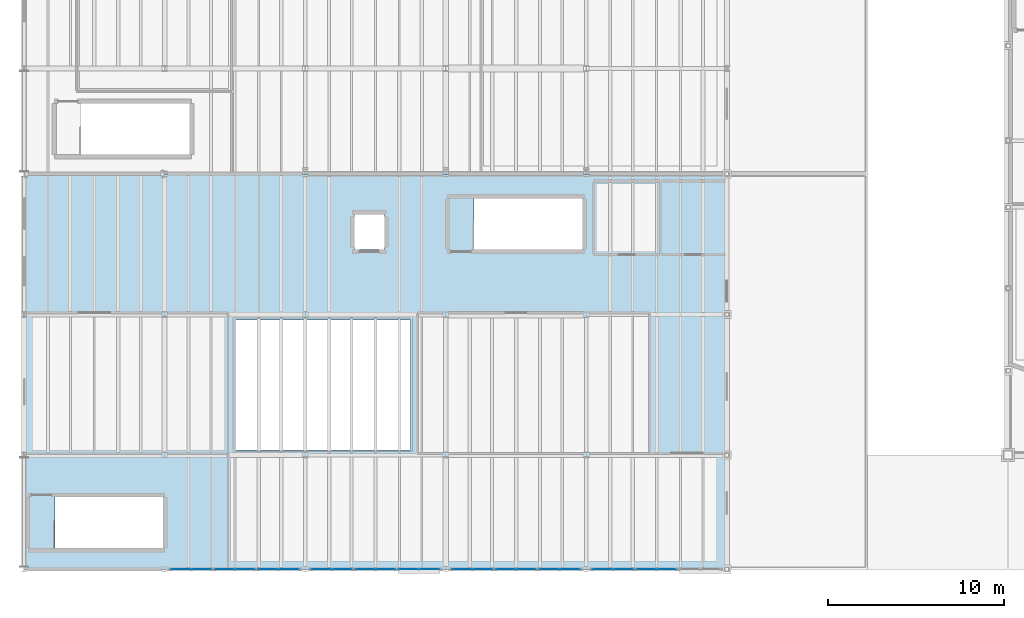
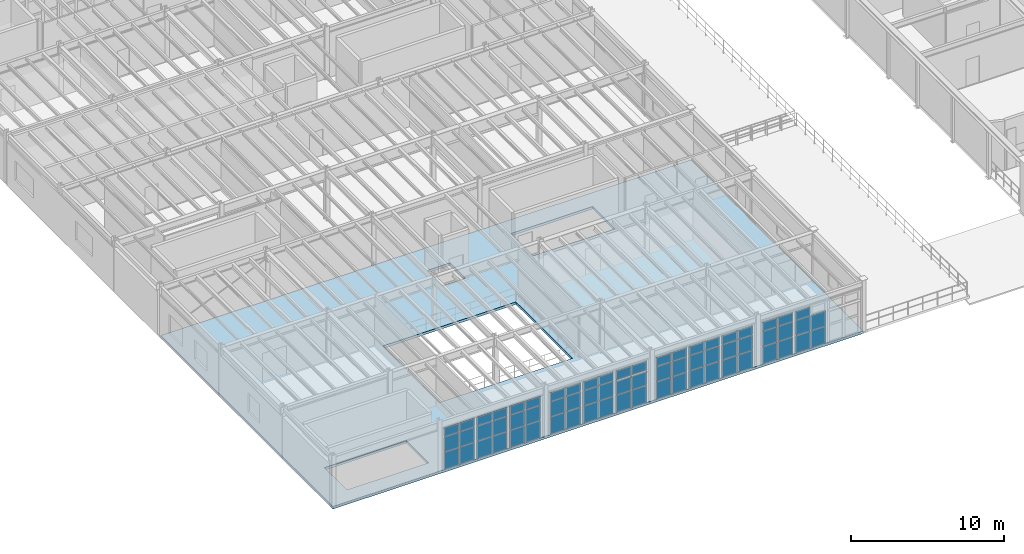
# One storey, part 48 of 78: 65 plates, 1 slab, 11 elements without a shape of their own.
"""IFC4 building model written with IfcOpenShell, lengths in metres."""

from ifc_helpers import new_model, si_unit, direction, frame, origin, origin_2d, place, context, subcontext, project, spatial, polyline, rectangle, outline, extrude, material, layer, layer_set, type_object, element, aggregate, save


model = new_model("IFC4")

# Units and contexts
model_context = context("Model", 3, precision=1e-05, world=origin(), true_north=direction((0.0, 1.0)))
body_context = subcontext(model_context, "Body", "Model", "MODEL_VIEW")
ifc_project = project(units=[si_unit("LENGTHUNIT", "METRE"), si_unit("AREAUNIT", "SQUARE_METRE"), si_unit("VOLUMEUNIT", "CUBIC_METRE"), si_unit("PLANEANGLEUNIT", "RADIAN"), si_unit("MASSUNIT", "GRAM", prefix="KILO"), si_unit("THERMODYNAMICTEMPERATUREUNIT", "KELVIN"), si_unit("POWERUNIT", "WATT")], contexts=[model_context])

# Site, building, storey
site_placement = place(None, origin())
site = spatial("IfcSite", under=ifc_project, at=site_placement, CompositionType="ELEMENT")
building_placement = place(site_placement, origin())
building = spatial("IfcBuilding", under=site, at=building_placement, Name="Zhenchuan Central Fire Station", CompositionType="ELEMENT")
storey_placement = place(building_placement, frame((0.0, 0.0, 5.85009765625)))
storey = spatial("IfcBuildingStorey", under=building, at=storey_placement, Name="L02", CompositionType="ELEMENT", Elevation=5.85009765625)

# Curtain wall, plates
ifc_material_1 = material(Name="Anodised aluminium and low-E glazing", Category="aluminium")
curtain_wall_type_1 = type_object("IfcCurtainWallType", Name="CW-MOD-01", PredefinedType="USERDEFINED", material=ifc_material_1)
curtain_wall_1_placement = place(storey_placement, origin())
curtain_wall_1 = element("IfcCurtainWall", 1, at=curtain_wall_1_placement, inside=storey, type_object=curtain_wall_type_1, Name="L02 Unitised Curtain Wall 025", ObjectType="UNITISED GLAZING", PredefinedType="USERDEFINED")
ifc_material_2 = material(Name="Laminated low-E double glazing", Category="glass")
ifc_layer_1 = layer(ifc_material_2, 0.011962890625, Name="Laminated low-E double glazing", Category="glass")
ifc_layer_set_1 = layer_set([ifc_layer_1], Name="Laminated low-E double glazing")
plate_type = type_object("IfcPlateType", Name="CW-PNL12", PredefinedType="CURTAIN_PANEL", material=ifc_layer_set_1)
plate_1_placement = place(storey_placement, frame((8.92333984375, 0.0, 0.060791015625), z_axis=(0.0, 0.0, 1.0), x_axis=(1.0, 0.0, 0.0)))
plate_1 = element("IfcPlate", 2, at=plate_1_placement, type_object=plate_type, Name="CW-01 panel 1.1", PredefinedType="CURTAIN_PANEL", context=body_context, shape_type="SweptSolid", body=[
    extrude(rectangle(XDim=1.116943359375, YDim=0.011962890625, at=origin_2d()), origin(), (0.0, 0.0, 1.0), 1.33203125),
])
plate_2_placement = place(storey_placement, frame((8.92333984375, 0.0, 1.4580078125), z_axis=(0.0, 0.0, 1.0), x_axis=(1.0, 0.0, 0.0)))
plate_2 = element("IfcPlate", 3, at=plate_2_placement, type_object=plate_type, Name="CW-01 panel 1.2", PredefinedType="CURTAIN_PANEL", context=body_context, shape_type="SweptSolid", body=[
    extrude(rectangle(XDim=1.116943359375, YDim=0.011962890625, at=origin_2d()), origin(), (0.0, 0.0, 1.0), 1.15673828125),
])
plate_3_placement = place(storey_placement, frame((8.92333984375, 0.0, 2.6796875), z_axis=(0.0, 0.0, 1.0), x_axis=(1.0, 0.0, 0.0)))
plate_3 = element("IfcPlate", 4, at=plate_3_placement, type_object=plate_type, Name="CW-01 panel 1.3", PredefinedType="CURTAIN_PANEL", context=body_context, shape_type="SweptSolid", body=[
    extrude(rectangle(XDim=1.116943359375, YDim=0.011962890625, at=origin_2d()), origin(), (0.0, 0.0, 1.0), 0.649169921875),
])
plate_4_placement = place(storey_placement, frame((10.105224609375, 0.0, 0.060791015625), z_axis=(0.0, 0.0, 1.0), x_axis=(1.0, 0.0, 0.0)))
plate_4 = element("IfcPlate", 5, at=plate_4_placement, type_object=plate_type, Name="CW-01 panel 2.1", PredefinedType="CURTAIN_PANEL", context=body_context, shape_type="SweptSolid", body=[
    extrude(rectangle(XDim=1.116943359375, YDim=0.011962890625, at=origin_2d()), origin(), (0.0, 0.0, 1.0), 1.33203125),
])
plate_5_placement = place(storey_placement, frame((10.105224609375, 0.0, 1.4580078125), z_axis=(0.0, 0.0, 1.0), x_axis=(1.0, 0.0, 0.0)))
plate_5 = element("IfcPlate", 6, at=plate_5_placement, type_object=plate_type, Name="CW-01 panel 2.2", PredefinedType="CURTAIN_PANEL", context=body_context, shape_type="SweptSolid", body=[
    extrude(rectangle(XDim=1.116943359375, YDim=0.011962890625, at=origin_2d()), origin(), (0.0, 0.0, 1.0), 1.15673828125),
])
plate_6_placement = place(storey_placement, frame((10.105224609375, 0.0, 2.6796875), z_axis=(0.0, 0.0, 1.0), x_axis=(1.0, 0.0, 0.0)))
plate_6 = element("IfcPlate", 7, at=plate_6_placement, type_object=plate_type, Name="CW-01 panel 2.3", PredefinedType="CURTAIN_PANEL", context=body_context, shape_type="SweptSolid", body=[
    extrude(rectangle(XDim=1.116943359375, YDim=0.011962890625, at=origin_2d()), origin(), (0.0, 0.0, 1.0), 0.649169921875),
])
aggregate(curtain_wall_1, [plate_1, plate_2, plate_3, plate_4, plate_5, plate_6])

curtain_wall_type_2 = type_object("IfcCurtainWallType", Name="CW-MOD-02", PredefinedType="USERDEFINED", material=ifc_material_1)
curtain_wall_2_placement = place(storey_placement, origin())
curtain_wall_2 = element("IfcCurtainWall", 8, at=curtain_wall_2_placement, inside=storey, type_object=curtain_wall_type_2, Name="L02 Unitised Curtain Wall 026", ObjectType="UNITISED GLAZING", PredefinedType="USERDEFINED")
plate_7_placement = place(storey_placement, frame((11.418701171875, 0.0, 0.060791015625), z_axis=(0.0, 0.0, 1.0), x_axis=(1.0, 0.0, 0.0)))
plate_7 = element("IfcPlate", 9, at=plate_7_placement, type_object=plate_type, Name="CW-02 panel 1.1", PredefinedType="CURTAIN_PANEL", context=body_context, shape_type="SweptSolid", body=[
    extrude(rectangle(XDim=1.097900390625, YDim=0.011962890625, at=origin_2d()), origin(), (0.0, 0.0, 1.0), 1.33203125),
])
plate_8_placement = place(storey_placement, frame((11.418701171875, 0.0, 1.4580078125), z_axis=(0.0, 0.0, 1.0), x_axis=(1.0, 0.0, 0.0)))
plate_8 = element("IfcPlate", 10, at=plate_8_placement, type_object=plate_type, Name="CW-02 panel 1.2", PredefinedType="CURTAIN_PANEL", context=body_context, shape_type="SweptSolid", body=[
    extrude(rectangle(XDim=1.097900390625, YDim=0.011962890625, at=origin_2d()), origin(), (0.0, 0.0, 1.0), 1.15673828125),
])
plate_9_placement = place(storey_placement, frame((11.418701171875, 0.0, 2.6796875), z_axis=(0.0, 0.0, 1.0), x_axis=(1.0, 0.0, 0.0)))
plate_9 = element("IfcPlate", 11, at=plate_9_placement, type_object=plate_type, Name="CW-02 panel 1.3", PredefinedType="CURTAIN_PANEL", context=body_context, shape_type="SweptSolid", body=[
    extrude(rectangle(XDim=1.097900390625, YDim=0.011962890625, at=origin_2d()), origin(), (0.0, 0.0, 1.0), 0.649169921875),
])
plate_10_placement = place(storey_placement, frame((12.581298828125, 0.0, 0.060791015625), z_axis=(0.0, 0.0, 1.0), x_axis=(1.0, 0.0, 0.0)))
plate_10 = element("IfcPlate", 12, at=plate_10_placement, type_object=plate_type, Name="CW-02 panel 2.1", PredefinedType="CURTAIN_PANEL", context=body_context, shape_type="SweptSolid", body=[
    extrude(rectangle(XDim=1.097900390625, YDim=0.011962890625, at=origin_2d()), origin(), (0.0, 0.0, 1.0), 1.33203125),
])
plate_11_placement = place(storey_placement, frame((12.581298828125, 0.0, 1.4580078125), z_axis=(0.0, 0.0, 1.0), x_axis=(1.0, 0.0, 0.0)))
plate_11 = element("IfcPlate", 13, at=plate_11_placement, type_object=plate_type, Name="CW-02 panel 2.2", PredefinedType="CURTAIN_PANEL", context=body_context, shape_type="SweptSolid", body=[
    extrude(rectangle(XDim=1.097900390625, YDim=0.011962890625, at=origin_2d()), origin(), (0.0, 0.0, 1.0), 1.15673828125),
])
plate_12_placement = place(storey_placement, frame((12.581298828125, 0.0, 2.6796875), z_axis=(0.0, 0.0, 1.0), x_axis=(1.0, 0.0, 0.0)))
plate_12 = element("IfcPlate", 14, at=plate_12_placement, type_object=plate_type, Name="CW-02 panel 2.3", PredefinedType="CURTAIN_PANEL", context=body_context, shape_type="SweptSolid", body=[
    extrude(rectangle(XDim=1.097900390625, YDim=0.011962890625, at=origin_2d()), origin(), (0.0, 0.0, 1.0), 0.649169921875),
])
aggregate(curtain_wall_2, [plate_7, plate_8, plate_9, plate_10, plate_11, plate_12])

curtain_wall_type_3 = type_object("IfcCurtainWallType", Name="CW-MOD-03", PredefinedType="USERDEFINED", material=ifc_material_1)
curtain_wall_3_placement = place(storey_placement, origin())
curtain_wall_3 = element("IfcCurtainWall", 15, at=curtain_wall_3_placement, inside=storey, type_object=curtain_wall_type_3, Name="L02 Unitised Curtain Wall 027", ObjectType="UNITISED GLAZING", PredefinedType="USERDEFINED")
plate_13_placement = place(storey_placement, frame((13.894775390625, 0.0, 0.060791015625), z_axis=(0.0, 0.0, 1.0), x_axis=(1.0, 0.0, 0.0)))
plate_13 = element("IfcPlate", 16, at=plate_13_placement, type_object=plate_type, Name="CW-03 panel 1.1", PredefinedType="CURTAIN_PANEL", context=body_context, shape_type="SweptSolid", body=[
    extrude(rectangle(XDim=1.116943359375, YDim=0.011962890625, at=origin_2d()), origin(), (0.0, 0.0, 1.0), 1.33203125),
])
plate_14_placement = place(storey_placement, frame((13.894775390625, 0.0, 1.4580078125), z_axis=(0.0, 0.0, 1.0), x_axis=(1.0, 0.0, 0.0)))
plate_14 = element("IfcPlate", 17, at=plate_14_placement, type_object=plate_type, Name="CW-03 panel 1.2", PredefinedType="CURTAIN_PANEL", context=body_context, shape_type="SweptSolid", body=[
    extrude(rectangle(XDim=1.116943359375, YDim=0.011962890625, at=origin_2d()), origin(), (0.0, 0.0, 1.0), 1.15673828125),
])
plate_15_placement = place(storey_placement, frame((13.894775390625, 0.0, 2.6796875), z_axis=(0.0, 0.0, 1.0), x_axis=(1.0, 0.0, 0.0)))
plate_15 = element("IfcPlate", 18, at=plate_15_placement, type_object=plate_type, Name="CW-03 panel 1.3", PredefinedType="CURTAIN_PANEL", context=body_context, shape_type="SweptSolid", body=[
    extrude(rectangle(XDim=1.116943359375, YDim=0.011962890625, at=origin_2d()), origin(), (0.0, 0.0, 1.0), 0.649169921875),
])
plate_16_placement = place(storey_placement, frame((15.07666015625, 0.0, 0.060791015625), z_axis=(0.0, 0.0, 1.0), x_axis=(1.0, 0.0, 0.0)))
plate_16 = element("IfcPlate", 19, at=plate_16_placement, type_object=plate_type, Name="CW-03 panel 2.1", PredefinedType="CURTAIN_PANEL", context=body_context, shape_type="SweptSolid", body=[
    extrude(rectangle(XDim=1.116943359375, YDim=0.011962890625, at=origin_2d()), origin(), (0.0, 0.0, 1.0), 1.33203125),
])
plate_17_placement = place(storey_placement, frame((15.07666015625, 0.0, 1.4580078125), z_axis=(0.0, 0.0, 1.0), x_axis=(1.0, 0.0, 0.0)))
plate_17 = element("IfcPlate", 20, at=plate_17_placement, type_object=plate_type, Name="CW-03 panel 2.2", PredefinedType="CURTAIN_PANEL", context=body_context, shape_type="SweptSolid", body=[
    extrude(rectangle(XDim=1.116943359375, YDim=0.011962890625, at=origin_2d()), origin(), (0.0, 0.0, 1.0), 1.15673828125),
])
plate_18_placement = place(storey_placement, frame((15.07666015625, 0.0, 2.6796875), z_axis=(0.0, 0.0, 1.0), x_axis=(1.0, 0.0, 0.0)))
plate_18 = element("IfcPlate", 21, at=plate_18_placement, type_object=plate_type, Name="CW-03 panel 2.3", PredefinedType="CURTAIN_PANEL", context=body_context, shape_type="SweptSolid", body=[
    extrude(rectangle(XDim=1.116943359375, YDim=0.011962890625, at=origin_2d()), origin(), (0.0, 0.0, 1.0), 0.649169921875),
])
aggregate(curtain_wall_3, [plate_13, plate_14, plate_15, plate_16, plate_17, plate_18])

curtain_wall_4_placement = place(storey_placement, origin())
curtain_wall_4 = element("IfcCurtainWall", 22, at=curtain_wall_4_placement, inside=storey, type_object=curtain_wall_type_2, Name="L02 Unitised Curtain Wall 028", ObjectType="UNITISED GLAZING", PredefinedType="USERDEFINED")
plate_19_placement = place(storey_placement, frame((16.92333984375, 0.0, 0.06103515625), z_axis=(0.0, 0.0, 1.0), x_axis=(1.0, 0.0, 0.0)))
plate_19 = element("IfcPlate", 23, at=plate_19_placement, type_object=plate_type, Name="CW-02 panel 1.1", PredefinedType="CURTAIN_PANEL", context=body_context, shape_type="SweptSolid", body=[
    extrude(rectangle(XDim=1.116943359375, YDim=0.011962890625, at=origin_2d()), origin(), (0.0, 0.0, 1.0), 1.33447265625),
])
plate_20_placement = place(storey_placement, frame((16.92333984375, 0.0, 1.46044921875), z_axis=(0.0, 0.0, 1.0), x_axis=(1.0, 0.0, 0.0)))
plate_20 = element("IfcPlate", 24, at=plate_20_placement, type_object=plate_type, Name="CW-02 panel 1.2", PredefinedType="CURTAIN_PANEL", context=body_context, shape_type="SweptSolid", body=[
    extrude(rectangle(XDim=1.116943359375, YDim=0.011962890625, at=origin_2d()), origin(), (0.0, 0.0, 1.0), 1.158935546875),
])
plate_21_placement = place(storey_placement, frame((16.92333984375, 0.0, 2.6845703125), z_axis=(0.0, 0.0, 1.0), x_axis=(1.0, 0.0, 0.0)))
plate_21 = element("IfcPlate", 25, at=plate_21_placement, type_object=plate_type, Name="CW-02 panel 1.3", PredefinedType="CURTAIN_PANEL", context=body_context, shape_type="SweptSolid", body=[
    extrude(rectangle(XDim=1.116943359375, YDim=0.011962890625, at=origin_2d()), origin(), (0.0, 0.0, 1.0), 0.650390625),
])
plate_22_placement = place(storey_placement, frame((18.105224609375, 0.0, 0.06103515625), z_axis=(0.0, 0.0, 1.0), x_axis=(1.0, 0.0, 0.0)))
plate_22 = element("IfcPlate", 26, at=plate_22_placement, type_object=plate_type, Name="CW-02 panel 2.1", PredefinedType="CURTAIN_PANEL", context=body_context, shape_type="SweptSolid", body=[
    extrude(rectangle(XDim=1.116943359375, YDim=0.011962890625, at=origin_2d()), origin(), (0.0, 0.0, 1.0), 1.33447265625),
])
plate_23_placement = place(storey_placement, frame((18.105224609375, 0.0, 1.46044921875), z_axis=(0.0, 0.0, 1.0), x_axis=(1.0, 0.0, 0.0)))
plate_23 = element("IfcPlate", 27, at=plate_23_placement, type_object=plate_type, Name="CW-02 panel 2.2", PredefinedType="CURTAIN_PANEL", context=body_context, shape_type="SweptSolid", body=[
    extrude(rectangle(XDim=1.116943359375, YDim=0.011962890625, at=origin_2d()), origin(), (0.0, 0.0, 1.0), 1.158935546875),
])
plate_24_placement = place(storey_placement, frame((18.105224609375, 0.0, 2.6845703125), z_axis=(0.0, 0.0, 1.0), x_axis=(1.0, 0.0, 0.0)))
plate_24 = element("IfcPlate", 28, at=plate_24_placement, type_object=plate_type, Name="CW-02 panel 2.3", PredefinedType="CURTAIN_PANEL", context=body_context, shape_type="SweptSolid", body=[
    extrude(rectangle(XDim=1.116943359375, YDim=0.011962890625, at=origin_2d()), origin(), (0.0, 0.0, 1.0), 0.650390625),
])
aggregate(curtain_wall_4, [plate_19, plate_20, plate_21, plate_22, plate_23, plate_24])

curtain_wall_5_placement = place(storey_placement, origin())
curtain_wall_5 = element("IfcCurtainWall", 29, at=curtain_wall_5_placement, inside=storey, type_object=curtain_wall_type_3, Name="L02 Unitised Curtain Wall 029", ObjectType="UNITISED GLAZING", PredefinedType="USERDEFINED")
plate_25_placement = place(storey_placement, frame((19.418701171875, 0.0, 0.06103515625), z_axis=(0.0, 0.0, 1.0), x_axis=(1.0, 0.0, 0.0)))
plate_25 = element("IfcPlate", 30, at=plate_25_placement, type_object=plate_type, Name="CW-03 panel 1.1", PredefinedType="CURTAIN_PANEL", context=body_context, shape_type="SweptSolid", body=[
    extrude(rectangle(XDim=1.097900390625, YDim=0.011962890625, at=origin_2d()), origin(), (0.0, 0.0, 1.0), 1.33447265625),
])
plate_26_placement = place(storey_placement, frame((19.418701171875, 0.0, 1.46044921875), z_axis=(0.0, 0.0, 1.0), x_axis=(1.0, 0.0, 0.0)))
plate_26 = element("IfcPlate", 31, at=plate_26_placement, type_object=plate_type, Name="CW-03 panel 1.2", PredefinedType="CURTAIN_PANEL", context=body_context, shape_type="SweptSolid", body=[
    extrude(rectangle(XDim=1.097900390625, YDim=0.011962890625, at=origin_2d()), origin(), (0.0, 0.0, 1.0), 1.158935546875),
])
plate_27_placement = place(storey_placement, frame((19.418701171875, 0.0, 2.6845703125), z_axis=(0.0, 0.0, 1.0), x_axis=(1.0, 0.0, 0.0)))
plate_27 = element("IfcPlate", 32, at=plate_27_placement, type_object=plate_type, Name="CW-03 panel 1.3", PredefinedType="CURTAIN_PANEL", context=body_context, shape_type="SweptSolid", body=[
    extrude(rectangle(XDim=1.097900390625, YDim=0.011962890625, at=origin_2d()), origin(), (0.0, 0.0, 1.0), 0.650390625),
])
plate_28_placement = place(storey_placement, frame((20.581298828125, 0.0, 0.06103515625), z_axis=(0.0, 0.0, 1.0), x_axis=(1.0, 0.0, 0.0)))
plate_28 = element("IfcPlate", 33, at=plate_28_placement, type_object=plate_type, Name="CW-03 panel 2.1", PredefinedType="CURTAIN_PANEL", context=body_context, shape_type="SweptSolid", body=[
    extrude(rectangle(XDim=1.097900390625, YDim=0.011962890625, at=origin_2d()), origin(), (0.0, 0.0, 1.0), 1.33447265625),
])
plate_29_placement = place(storey_placement, frame((20.581298828125, 0.0, 1.46044921875), z_axis=(0.0, 0.0, 1.0), x_axis=(1.0, 0.0, 0.0)))
plate_29 = element("IfcPlate", 34, at=plate_29_placement, type_object=plate_type, Name="CW-03 panel 2.2", PredefinedType="CURTAIN_PANEL", context=body_context, shape_type="SweptSolid", body=[
    extrude(rectangle(XDim=1.097900390625, YDim=0.011962890625, at=origin_2d()), origin(), (0.0, 0.0, 1.0), 1.158935546875),
])
plate_30_placement = place(storey_placement, frame((20.581298828125, 0.0, 2.6845703125), z_axis=(0.0, 0.0, 1.0), x_axis=(1.0, 0.0, 0.0)))
plate_30 = element("IfcPlate", 35, at=plate_30_placement, type_object=plate_type, Name="CW-03 panel 2.3", PredefinedType="CURTAIN_PANEL", context=body_context, shape_type="SweptSolid", body=[
    extrude(rectangle(XDim=1.097900390625, YDim=0.011962890625, at=origin_2d()), origin(), (0.0, 0.0, 1.0), 0.650390625),
])
aggregate(curtain_wall_5, [plate_25, plate_26, plate_27, plate_28, plate_29, plate_30])

curtain_wall_type_4 = type_object("IfcCurtainWallType", Name="CW-MOD-04", PredefinedType="USERDEFINED", material=ifc_material_1)
curtain_wall_6_placement = place(storey_placement, origin())
curtain_wall_6 = element("IfcCurtainWall", 36, at=curtain_wall_6_placement, inside=storey, type_object=curtain_wall_type_4, Name="L02 Unitised Curtain Wall 030", ObjectType="UNITISED GLAZING", PredefinedType="USERDEFINED")
plate_31_placement = place(storey_placement, frame((21.894775390625, 0.0, 0.06103515625), z_axis=(0.0, 0.0, 1.0), x_axis=(1.0, 0.0, 0.0)))
plate_31 = element("IfcPlate", 37, at=plate_31_placement, type_object=plate_type, Name="CW-04 panel 1.1", PredefinedType="CURTAIN_PANEL", context=body_context, shape_type="SweptSolid", body=[
    extrude(rectangle(XDim=1.116943359375, YDim=0.011962890625, at=origin_2d()), origin(), (0.0, 0.0, 1.0), 1.33447265625),
])
plate_32_placement = place(storey_placement, frame((21.894775390625, 0.0, 1.46044921875), z_axis=(0.0, 0.0, 1.0), x_axis=(1.0, 0.0, 0.0)))
plate_32 = element("IfcPlate", 38, at=plate_32_placement, type_object=plate_type, Name="CW-04 panel 1.2", PredefinedType="CURTAIN_PANEL", context=body_context, shape_type="SweptSolid", body=[
    extrude(rectangle(XDim=1.116943359375, YDim=0.011962890625, at=origin_2d()), origin(), (0.0, 0.0, 1.0), 1.158935546875),
])
plate_33_placement = place(storey_placement, frame((21.894775390625, 0.0, 2.6845703125), z_axis=(0.0, 0.0, 1.0), x_axis=(1.0, 0.0, 0.0)))
plate_33 = element("IfcPlate", 39, at=plate_33_placement, type_object=plate_type, Name="CW-04 panel 1.3", PredefinedType="CURTAIN_PANEL", context=body_context, shape_type="SweptSolid", body=[
    extrude(rectangle(XDim=1.116943359375, YDim=0.011962890625, at=origin_2d()), origin(), (0.0, 0.0, 1.0), 0.650390625),
])
plate_34_placement = place(storey_placement, frame((23.07666015625, 0.0, 0.06103515625), z_axis=(0.0, 0.0, 1.0), x_axis=(1.0, 0.0, 0.0)))
plate_34 = element("IfcPlate", 40, at=plate_34_placement, type_object=plate_type, Name="CW-04 panel 2.1", PredefinedType="CURTAIN_PANEL", context=body_context, shape_type="SweptSolid", body=[
    extrude(rectangle(XDim=1.116943359375, YDim=0.011962890625, at=origin_2d()), origin(), (0.0, 0.0, 1.0), 1.33447265625),
])
plate_35_placement = place(storey_placement, frame((23.07666015625, 0.0, 1.46044921875), z_axis=(0.0, 0.0, 1.0), x_axis=(1.0, 0.0, 0.0)))
plate_35 = element("IfcPlate", 41, at=plate_35_placement, type_object=plate_type, Name="CW-04 panel 2.2", PredefinedType="CURTAIN_PANEL", context=body_context, shape_type="SweptSolid", body=[
    extrude(rectangle(XDim=1.116943359375, YDim=0.011962890625, at=origin_2d()), origin(), (0.0, 0.0, 1.0), 1.158935546875),
])
plate_36_placement = place(storey_placement, frame((23.07666015625, 0.0, 2.6845703125), z_axis=(0.0, 0.0, 1.0), x_axis=(1.0, 0.0, 0.0)))
plate_36 = element("IfcPlate", 42, at=plate_36_placement, type_object=plate_type, Name="CW-04 panel 2.3", PredefinedType="CURTAIN_PANEL", context=body_context, shape_type="SweptSolid", body=[
    extrude(rectangle(XDim=1.116943359375, YDim=0.011962890625, at=origin_2d()), origin(), (0.0, 0.0, 1.0), 0.650390625),
])
aggregate(curtain_wall_6, [plate_31, plate_32, plate_33, plate_34, plate_35, plate_36])

curtain_wall_7_placement = place(storey_placement, origin())
curtain_wall_7 = element("IfcCurtainWall", 43, at=curtain_wall_7_placement, inside=storey, type_object=curtain_wall_type_3, Name="L02 Unitised Curtain Wall 031", ObjectType="UNITISED GLAZING", PredefinedType="USERDEFINED")
plate_37_placement = place(storey_placement, frame((24.92333984375, 0.0, 0.06103515625), z_axis=(0.0, 0.0, 1.0), x_axis=(1.0, 0.0, 0.0)))
plate_37 = element("IfcPlate", 44, at=plate_37_placement, type_object=plate_type, Name="CW-03 panel 1.1", PredefinedType="CURTAIN_PANEL", context=body_context, shape_type="SweptSolid", body=[
    extrude(rectangle(XDim=1.116943359375, YDim=0.011962890625, at=origin_2d()), origin(), (0.0, 0.0, 1.0), 1.33447265625),
])
plate_38_placement = place(storey_placement, frame((24.92333984375, 0.0, 1.46044921875), z_axis=(0.0, 0.0, 1.0), x_axis=(1.0, 0.0, 0.0)))
plate_38 = element("IfcPlate", 45, at=plate_38_placement, type_object=plate_type, Name="CW-03 panel 1.2", PredefinedType="CURTAIN_PANEL", context=body_context, shape_type="SweptSolid", body=[
    extrude(rectangle(XDim=1.116943359375, YDim=0.011962890625, at=origin_2d()), origin(), (0.0, 0.0, 1.0), 1.158935546875),
])
plate_39_placement = place(storey_placement, frame((24.92333984375, 0.0, 2.6845703125), z_axis=(0.0, 0.0, 1.0), x_axis=(1.0, 0.0, 0.0)))
plate_39 = element("IfcPlate", 46, at=plate_39_placement, type_object=plate_type, Name="CW-03 panel 1.3", PredefinedType="CURTAIN_PANEL", context=body_context, shape_type="SweptSolid", body=[
    extrude(rectangle(XDim=1.116943359375, YDim=0.011962890625, at=origin_2d()), origin(), (0.0, 0.0, 1.0), 0.650390625),
])
plate_40_placement = place(storey_placement, frame((26.105224609375, 0.0, 0.06103515625), z_axis=(0.0, 0.0, 1.0), x_axis=(1.0, 0.0, 0.0)))
plate_40 = element("IfcPlate", 47, at=plate_40_placement, type_object=plate_type, Name="CW-03 panel 2.1", PredefinedType="CURTAIN_PANEL", context=body_context, shape_type="SweptSolid", body=[
    extrude(rectangle(XDim=1.116943359375, YDim=0.011962890625, at=origin_2d()), origin(), (0.0, 0.0, 1.0), 1.33447265625),
])
plate_41_placement = place(storey_placement, frame((26.105224609375, 0.0, 1.46044921875), z_axis=(0.0, 0.0, 1.0), x_axis=(1.0, 0.0, 0.0)))
plate_41 = element("IfcPlate", 48, at=plate_41_placement, type_object=plate_type, Name="CW-03 panel 2.2", PredefinedType="CURTAIN_PANEL", context=body_context, shape_type="SweptSolid", body=[
    extrude(rectangle(XDim=1.116943359375, YDim=0.011962890625, at=origin_2d()), origin(), (0.0, 0.0, 1.0), 1.158935546875),
])
plate_42_placement = place(storey_placement, frame((26.105224609375, 0.0, 2.6845703125), z_axis=(0.0, 0.0, 1.0), x_axis=(1.0, 0.0, 0.0)))
plate_42 = element("IfcPlate", 49, at=plate_42_placement, type_object=plate_type, Name="CW-03 panel 2.3", PredefinedType="CURTAIN_PANEL", context=body_context, shape_type="SweptSolid", body=[
    extrude(rectangle(XDim=1.116943359375, YDim=0.011962890625, at=origin_2d()), origin(), (0.0, 0.0, 1.0), 0.650390625),
])
aggregate(curtain_wall_7, [plate_37, plate_38, plate_39, plate_40, plate_41, plate_42])

curtain_wall_8_placement = place(storey_placement, origin())
curtain_wall_8 = element("IfcCurtainWall", 50, at=curtain_wall_8_placement, inside=storey, type_object=curtain_wall_type_4, Name="L02 Unitised Curtain Wall 032", ObjectType="UNITISED GLAZING", PredefinedType="USERDEFINED")
plate_43_placement = place(storey_placement, frame((27.418701171875, 0.0, 0.06103515625), z_axis=(0.0, 0.0, 1.0), x_axis=(1.0, 0.0, 0.0)))
plate_43 = element("IfcPlate", 51, at=plate_43_placement, type_object=plate_type, Name="CW-04 panel 1.1", PredefinedType="CURTAIN_PANEL", context=body_context, shape_type="SweptSolid", body=[
    extrude(rectangle(XDim=1.097900390625, YDim=0.011962890625, at=origin_2d()), origin(), (0.0, 0.0, 1.0), 1.33447265625),
])
plate_44_placement = place(storey_placement, frame((27.418701171875, 0.0, 1.46044921875), z_axis=(0.0, 0.0, 1.0), x_axis=(1.0, 0.0, 0.0)))
plate_44 = element("IfcPlate", 52, at=plate_44_placement, type_object=plate_type, Name="CW-04 panel 1.2", PredefinedType="CURTAIN_PANEL", context=body_context, shape_type="SweptSolid", body=[
    extrude(rectangle(XDim=1.097900390625, YDim=0.011962890625, at=origin_2d()), origin(), (0.0, 0.0, 1.0), 1.158935546875),
])
plate_45_placement = place(storey_placement, frame((27.418701171875, 0.0, 2.6845703125), z_axis=(0.0, 0.0, 1.0), x_axis=(1.0, 0.0, 0.0)))
plate_45 = element("IfcPlate", 53, at=plate_45_placement, type_object=plate_type, Name="CW-04 panel 1.3", PredefinedType="CURTAIN_PANEL", context=body_context, shape_type="SweptSolid", body=[
    extrude(rectangle(XDim=1.097900390625, YDim=0.011962890625, at=origin_2d()), origin(), (0.0, 0.0, 1.0), 0.650390625),
])
plate_46_placement = place(storey_placement, frame((28.581298828125, 0.0, 0.06103515625), z_axis=(0.0, 0.0, 1.0), x_axis=(1.0, 0.0, 0.0)))
plate_46 = element("IfcPlate", 54, at=plate_46_placement, type_object=plate_type, Name="CW-04 panel 2.1", PredefinedType="CURTAIN_PANEL", context=body_context, shape_type="SweptSolid", body=[
    extrude(rectangle(XDim=1.097900390625, YDim=0.011962890625, at=origin_2d()), origin(), (0.0, 0.0, 1.0), 1.33447265625),
])
plate_47_placement = place(storey_placement, frame((28.581298828125, 0.0, 1.46044921875), z_axis=(0.0, 0.0, 1.0), x_axis=(1.0, 0.0, 0.0)))
plate_47 = element("IfcPlate", 55, at=plate_47_placement, type_object=plate_type, Name="CW-04 panel 2.2", PredefinedType="CURTAIN_PANEL", context=body_context, shape_type="SweptSolid", body=[
    extrude(rectangle(XDim=1.097900390625, YDim=0.011962890625, at=origin_2d()), origin(), (0.0, 0.0, 1.0), 1.158935546875),
])
plate_48_placement = place(storey_placement, frame((28.581298828125, 0.0, 2.6845703125), z_axis=(0.0, 0.0, 1.0), x_axis=(1.0, 0.0, 0.0)))
plate_48 = element("IfcPlate", 56, at=plate_48_placement, type_object=plate_type, Name="CW-04 panel 2.3", PredefinedType="CURTAIN_PANEL", context=body_context, shape_type="SweptSolid", body=[
    extrude(rectangle(XDim=1.097900390625, YDim=0.011962890625, at=origin_2d()), origin(), (0.0, 0.0, 1.0), 0.650390625),
])
aggregate(curtain_wall_8, [plate_43, plate_44, plate_45, plate_46, plate_47, plate_48])

curtain_wall_type_5 = type_object("IfcCurtainWallType", Name="CW-MOD-05", PredefinedType="USERDEFINED", material=ifc_material_1)
curtain_wall_9_placement = place(storey_placement, origin())
curtain_wall_9 = element("IfcCurtainWall", 57, at=curtain_wall_9_placement, inside=storey, type_object=curtain_wall_type_5, Name="L02 Unitised Curtain Wall 033", ObjectType="UNITISED GLAZING", PredefinedType="USERDEFINED")
plate_49_placement = place(storey_placement, frame((29.894775390625, 0.0, 0.06103515625), z_axis=(0.0, 0.0, 1.0), x_axis=(1.0, 0.0, 0.0)))
plate_49 = element("IfcPlate", 58, at=plate_49_placement, type_object=plate_type, Name="CW-05 panel 1.1", PredefinedType="CURTAIN_PANEL", context=body_context, shape_type="SweptSolid", body=[
    extrude(rectangle(XDim=1.116943359375, YDim=0.011962890625, at=origin_2d()), origin(), (0.0, 0.0, 1.0), 1.33447265625),
])
plate_50_placement = place(storey_placement, frame((29.894775390625, 0.0, 1.46044921875), z_axis=(0.0, 0.0, 1.0), x_axis=(1.0, 0.0, 0.0)))
plate_50 = element("IfcPlate", 59, at=plate_50_placement, type_object=plate_type, Name="CW-05 panel 1.2", PredefinedType="CURTAIN_PANEL", context=body_context, shape_type="SweptSolid", body=[
    extrude(rectangle(XDim=1.116943359375, YDim=0.011962890625, at=origin_2d()), origin(), (0.0, 0.0, 1.0), 1.158935546875),
])
plate_51_placement = place(storey_placement, frame((29.894775390625, 0.0, 2.6845703125), z_axis=(0.0, 0.0, 1.0), x_axis=(1.0, 0.0, 0.0)))
plate_51 = element("IfcPlate", 60, at=plate_51_placement, type_object=plate_type, Name="CW-05 panel 1.3", PredefinedType="CURTAIN_PANEL", context=body_context, shape_type="SweptSolid", body=[
    extrude(rectangle(XDim=1.116943359375, YDim=0.011962890625, at=origin_2d()), origin(), (0.0, 0.0, 1.0), 0.650390625),
])
plate_52_placement = place(storey_placement, frame((31.07666015625, 0.0, 0.06103515625), z_axis=(0.0, 0.0, 1.0), x_axis=(1.0, 0.0, 0.0)))
plate_52 = element("IfcPlate", 61, at=plate_52_placement, type_object=plate_type, Name="CW-05 panel 2.1", PredefinedType="CURTAIN_PANEL", context=body_context, shape_type="SweptSolid", body=[
    extrude(rectangle(XDim=1.116943359375, YDim=0.011962890625, at=origin_2d()), origin(), (0.0, 0.0, 1.0), 1.33447265625),
])
plate_53_placement = place(storey_placement, frame((31.07666015625, 0.0, 1.46044921875), z_axis=(0.0, 0.0, 1.0), x_axis=(1.0, 0.0, 0.0)))
plate_53 = element("IfcPlate", 62, at=plate_53_placement, type_object=plate_type, Name="CW-05 panel 2.2", PredefinedType="CURTAIN_PANEL", context=body_context, shape_type="SweptSolid", body=[
    extrude(rectangle(XDim=1.116943359375, YDim=0.011962890625, at=origin_2d()), origin(), (0.0, 0.0, 1.0), 1.158935546875),
])
plate_54_placement = place(storey_placement, frame((31.07666015625, 0.0, 2.6845703125), z_axis=(0.0, 0.0, 1.0), x_axis=(1.0, 0.0, 0.0)))
plate_54 = element("IfcPlate", 63, at=plate_54_placement, type_object=plate_type, Name="CW-05 panel 2.3", PredefinedType="CURTAIN_PANEL", context=body_context, shape_type="SweptSolid", body=[
    extrude(rectangle(XDim=1.116943359375, YDim=0.011962890625, at=origin_2d()), origin(), (0.0, 0.0, 1.0), 0.650390625),
])
aggregate(curtain_wall_9, [plate_49, plate_50, plate_51, plate_52, plate_53, plate_54])

curtain_wall_10_placement = place(storey_placement, origin())
curtain_wall_10 = element("IfcCurtainWall", 64, at=curtain_wall_10_placement, inside=storey, type_object=curtain_wall_type_4, Name="L02 Unitised Curtain Wall 034", ObjectType="UNITISED GLAZING", PredefinedType="USERDEFINED")
plate_55_placement = place(storey_placement, frame((32.92333984375, 0.0, 0.06103515625), z_axis=(0.0, 0.0, 1.0), x_axis=(1.0, 0.0, 0.0)))
plate_55 = element("IfcPlate", 65, at=plate_55_placement, type_object=plate_type, Name="CW-04 panel 1.1", PredefinedType="CURTAIN_PANEL", context=body_context, shape_type="SweptSolid", body=[
    extrude(rectangle(XDim=1.116943359375, YDim=0.011962890625, at=origin_2d()), origin(), (0.0, 0.0, 1.0), 1.33447265625),
])
plate_56_placement = place(storey_placement, frame((32.92333984375, 0.0, 1.46044921875), z_axis=(0.0, 0.0, 1.0), x_axis=(1.0, 0.0, 0.0)))
plate_56 = element("IfcPlate", 66, at=plate_56_placement, type_object=plate_type, Name="CW-04 panel 1.2", PredefinedType="CURTAIN_PANEL", context=body_context, shape_type="SweptSolid", body=[
    extrude(rectangle(XDim=1.116943359375, YDim=0.011962890625, at=origin_2d()), origin(), (0.0, 0.0, 1.0), 1.158935546875),
])
plate_57_placement = place(storey_placement, frame((32.92333984375, 0.0, 2.6845703125), z_axis=(0.0, 0.0, 1.0), x_axis=(1.0, 0.0, 0.0)))
plate_57 = element("IfcPlate", 67, at=plate_57_placement, type_object=plate_type, Name="CW-04 panel 1.3", PredefinedType="CURTAIN_PANEL", context=body_context, shape_type="SweptSolid", body=[
    extrude(rectangle(XDim=1.116943359375, YDim=0.011962890625, at=origin_2d()), origin(), (0.0, 0.0, 1.0), 0.650390625),
])
plate_58_placement = place(storey_placement, frame((34.105224609375, 0.0, 0.06103515625), z_axis=(0.0, 0.0, 1.0), x_axis=(1.0, 0.0, 0.0)))
plate_58 = element("IfcPlate", 68, at=plate_58_placement, type_object=plate_type, Name="CW-04 panel 2.1", PredefinedType="CURTAIN_PANEL", context=body_context, shape_type="SweptSolid", body=[
    extrude(rectangle(XDim=1.116943359375, YDim=0.011962890625, at=origin_2d()), origin(), (0.0, 0.0, 1.0), 1.33447265625),
])
plate_59_placement = place(storey_placement, frame((34.105224609375, 0.0, 1.46044921875), z_axis=(0.0, 0.0, 1.0), x_axis=(1.0, 0.0, 0.0)))
plate_59 = element("IfcPlate", 69, at=plate_59_placement, type_object=plate_type, Name="CW-04 panel 2.2", PredefinedType="CURTAIN_PANEL", context=body_context, shape_type="SweptSolid", body=[
    extrude(rectangle(XDim=1.116943359375, YDim=0.011962890625, at=origin_2d()), origin(), (0.0, 0.0, 1.0), 1.158935546875),
])
plate_60_placement = place(storey_placement, frame((34.105224609375, 0.0, 2.6845703125), z_axis=(0.0, 0.0, 1.0), x_axis=(1.0, 0.0, 0.0)))
plate_60 = element("IfcPlate", 70, at=plate_60_placement, type_object=plate_type, Name="CW-04 panel 2.3", PredefinedType="CURTAIN_PANEL", context=body_context, shape_type="SweptSolid", body=[
    extrude(rectangle(XDim=1.116943359375, YDim=0.011962890625, at=origin_2d()), origin(), (0.0, 0.0, 1.0), 0.650390625),
])
aggregate(curtain_wall_10, [plate_55, plate_56, plate_57, plate_58, plate_59, plate_60])

curtain_wall_11_placement = place(storey_placement, origin())
curtain_wall_11 = element("IfcCurtainWall", 71, at=curtain_wall_11_placement, inside=storey, type_object=curtain_wall_type_5, Name="L02 Unitised Curtain Wall 035", ObjectType="UNITISED GLAZING", PredefinedType="USERDEFINED")
plate_61_placement = place(storey_placement, frame((35.418701171875, 0.0, 0.06103515625), z_axis=(0.0, 0.0, 1.0), x_axis=(1.0, 0.0, 0.0)))
plate_61 = element("IfcPlate", 72, at=plate_61_placement, type_object=plate_type, Name="CW-05 panel 1.1", PredefinedType="CURTAIN_PANEL", context=body_context, shape_type="SweptSolid", body=[
    extrude(rectangle(XDim=1.097900390625, YDim=0.011962890625, at=origin_2d()), origin(), (0.0, 0.0, 1.0), 1.33447265625),
])
plate_62_placement = place(storey_placement, frame((35.418701171875, 0.0, 1.46044921875), z_axis=(0.0, 0.0, 1.0), x_axis=(1.0, 0.0, 0.0)))
plate_62 = element("IfcPlate", 73, at=plate_62_placement, type_object=plate_type, Name="CW-05 panel 1.2", PredefinedType="CURTAIN_PANEL", context=body_context, shape_type="SweptSolid", body=[
    extrude(rectangle(XDim=1.097900390625, YDim=0.011962890625, at=origin_2d()), origin(), (0.0, 0.0, 1.0), 1.158935546875),
])
plate_63_placement = place(storey_placement, frame((35.418701171875, 0.0, 2.6845703125), z_axis=(0.0, 0.0, 1.0), x_axis=(1.0, 0.0, 0.0)))
plate_63 = element("IfcPlate", 74, at=plate_63_placement, type_object=plate_type, Name="CW-05 panel 1.3", PredefinedType="CURTAIN_PANEL", context=body_context, shape_type="SweptSolid", body=[
    extrude(rectangle(XDim=1.097900390625, YDim=0.011962890625, at=origin_2d()), origin(), (0.0, 0.0, 1.0), 0.650390625),
])
plate_64_placement = place(storey_placement, frame((36.581298828125, 0.0, 0.06103515625), z_axis=(0.0, 0.0, 1.0), x_axis=(1.0, 0.0, 0.0)))
plate_64 = element("IfcPlate", 75, at=plate_64_placement, type_object=plate_type, Name="CW-05 panel 2.1", PredefinedType="CURTAIN_PANEL", context=body_context, shape_type="SweptSolid", body=[
    extrude(rectangle(XDim=1.097900390625, YDim=0.011962890625, at=origin_2d()), origin(), (0.0, 0.0, 1.0), 1.33447265625),
])
plate_65_placement = place(storey_placement, frame((36.581298828125, 0.0, 1.46044921875), z_axis=(0.0, 0.0, 1.0), x_axis=(1.0, 0.0, 0.0)))
plate_65 = element("IfcPlate", 76, at=plate_65_placement, type_object=plate_type, Name="CW-05 panel 2.2", PredefinedType="CURTAIN_PANEL", context=body_context, shape_type="SweptSolid", body=[
    extrude(rectangle(XDim=1.097900390625, YDim=0.011962890625, at=origin_2d()), origin(), (0.0, 0.0, 1.0), 1.158935546875),
])
aggregate(curtain_wall_11, [plate_61, plate_62, plate_63, plate_64, plate_65])

# Slab
ifc_material_3 = material(Name="Concrete C35/45", Category="concrete")
ifc_layer_2 = layer(ifc_material_3, 0.199951171875, Name="Concrete C35/45", Category="concrete")
ifc_layer_set_2 = layer_set([ifc_layer_2], Name="Concrete C35/45")
slab_type = type_object("IfcSlabType", Name="SL-FLR200", PredefinedType="FLOOR", material=ifc_layer_set_2)
slab_placement = place(storey_placement, frame((0.0, 0.0, -0.2001953125)))
element("IfcSlab", 77, at=slab_placement, inside=storey, type_object=slab_type, Name="L02 Public Gallery and Upper Theatre Floor Slab", PredefinedType="FLOOR", context=body_context, shape_type="SweptSolid", body=[
    extrude(outline(polyline([(0.0, 0.0), (40.0, 0.0), (40.0, 22.5), (0.0, 22.5), (0.0, 0.0)]), holes=[polyline([(1.75048828125, 1.199951171875), (7.909912109375, 1.199951171875), (7.909912109375, 4.10009765625), (1.75048828125, 4.10009765625), (1.75048828125, 1.199951171875)]), polyline([(25.62060546875, 18.199951171875), (31.780029296875, 18.199951171875), (31.780029296875, 21.10009765625), (25.62060546875, 21.10009765625), (25.62060546875, 18.199951171875)]), polyline([(18.800048828125, 18.199951171875), (20.5, 18.199951171875), (20.5, 20.199951171875), (18.800048828125, 20.199951171875), (18.800048828125, 18.199951171875)]), polyline([(12.0, 6.800048828125), (22.0, 6.800048828125), (22.0, 14.199951171875), (12.0, 14.199951171875), (12.0, 6.800048828125)])]), origin(), (0.0, 0.0, 1.0), 0.2001953125),
])

save(model, "model.ifc")
